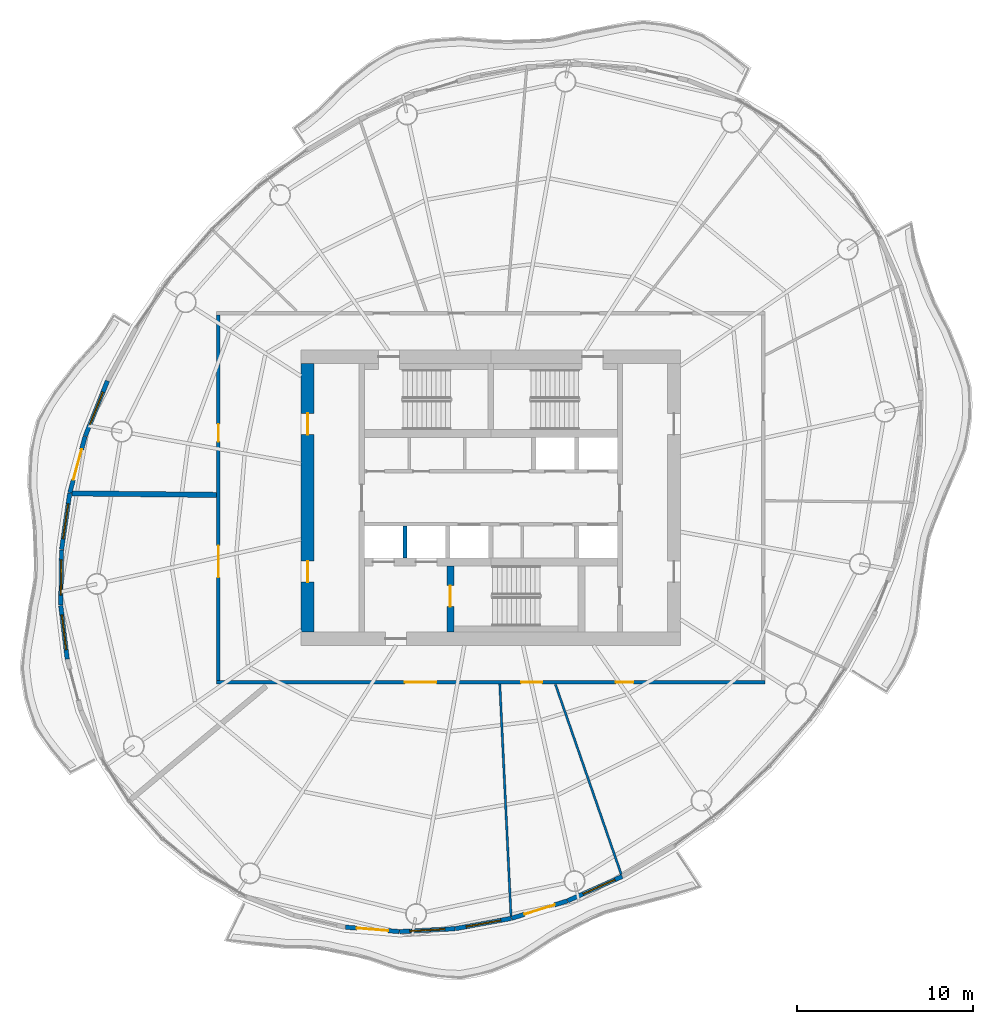
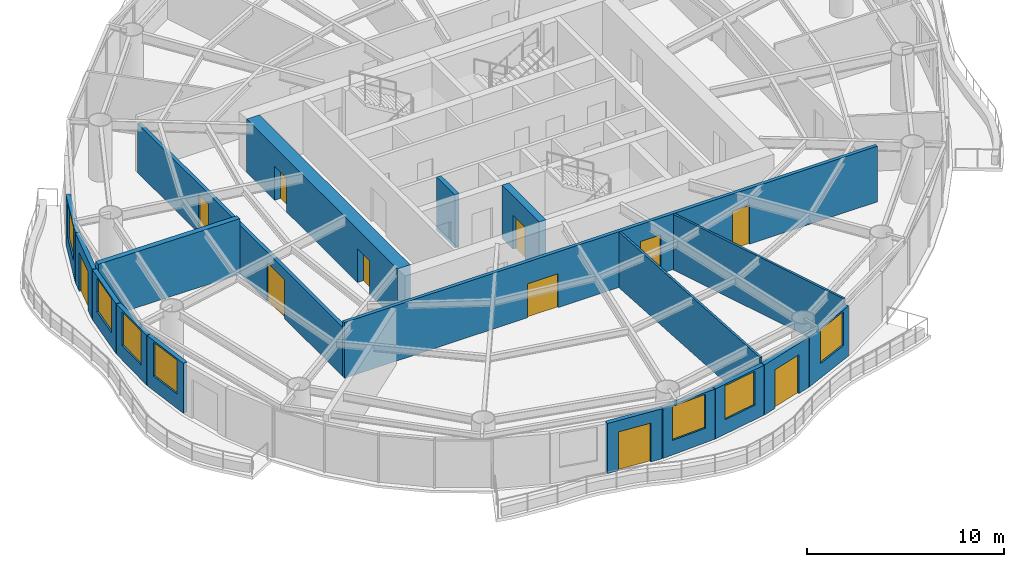
# One storey, part 8 of 14: 18 walls, 11 doors, 7 windows, 18 openings.
"""IFC4 building model written with IfcOpenShell, lengths in metres."""

import ifcopenshell
import ifcopenshell.guid

model = None  # the IFC model being written
_history = None  # IfcOwnerHistory: only IFC2X3 demands one
_inside = {}  # id of a spatial element -> (the spatial element, [elements in it])
_under = {}  # id of a project, library or spatial element -> (it, [spatial elements below it])
_declared = {}  # id of a project -> (the project, [libraries it declares])
_typed = {}  # id of a type object -> (the type object, [elements of that type])
_made_of = {}  # id of a material, layer set ... -> (it, [elements and type objects made of it])


def new_model(schema):
    """Start an empty IFC model of exactly this schema.

    Asked for "IFC4X3", IfcOpenShell would pick the latest addendum, in which some entities
    have other attributes; the version numbers below select the first issue.
    IFC2X3 requires an IfcOwnerHistory on every rooted entity: one is made here for all.
    """
    global model, _history
    if schema == "IFC4X3":
        model = ifcopenshell.file(schema_version=(4, 3, 0, 0))
    else:
        model = ifcopenshell.file(schema=schema)
    _inside.clear()
    _under.clear()
    _declared.clear()
    _typed.clear()
    _made_of.clear()
    _history = None
    if model.schema == "IFC2X3":
        org = make("IfcOrganization", Name="unknown")
        user = make(
            "IfcPersonAndOrganization",
            ThePerson=make("IfcPerson", FamilyName="unknown"),
            TheOrganization=org,
        )
        app = make(
            "IfcApplication",
            ApplicationDeveloper=org,
            Version="unknown",
            ApplicationFullName="unknown",
            ApplicationIdentifier="unknown",
        )
        _history = make(
            "IfcOwnerHistory",
            OwningUser=user,
            OwningApplication=app,
            ChangeAction="ADDED",
            CreationDate=0,
        )
    return model


def make(cls, **values):
    """One entity of the class cls with the attributes given. An attribute that is None is left unset."""
    return model.create_entity(
        cls, **{name: value for name, value in values.items() if value is not None}
    )


def rooted(cls, **values):
    """An entity with a GlobalId (a new one), such as an element, a storey or a relation."""
    return make(cls, GlobalId=ifcopenshell.guid.new(), OwnerHistory=_history, **values)


def si_unit(unit_type, name, prefix=None):
    """IfcSIUnit, for example si_unit("LENGTHUNIT", "METRE", prefix="MILLI")."""
    return make("IfcSIUnit", UnitType=unit_type, Prefix=prefix, Name=name)


def assignment(units):
    """IfcUnitAssignment: the units of a project."""
    return None if units is None else make("IfcUnitAssignment", Units=units)


def point(xyz):
    """IfcCartesianPoint."""
    return None if xyz is None else make("IfcCartesianPoint", Coordinates=xyz)


def direction(xyz):
    """IfcDirection."""
    return None if xyz is None else make("IfcDirection", DirectionRatios=xyz)


def frame(location, z_axis=None, x_axis=None):
    """IfcAxis2Placement3D, a coordinate frame: its origin and axes. An axis left out is left unset."""
    return make(
        "IfcAxis2Placement3D",
        Location=point(location),
        Axis=direction(z_axis),
        RefDirection=direction(x_axis),
    )


def frame_2d(location, x_axis=None):
    """IfcAxis2Placement2D, a coordinate frame in the plane: its origin and x axis."""
    return make(
        "IfcAxis2Placement2D", Location=point(location), RefDirection=direction(x_axis)
    )


def origin():
    """The frame at (0, 0, 0) with its axes left unset."""
    return frame((0.0, 0.0, 0.0))


def place(relative_to, where):
    """IfcLocalPlacement: puts the frame where relative to a parent placement (None: the world)."""
    return make(
        "IfcLocalPlacement", PlacementRelTo=relative_to, RelativePlacement=where
    )


def context(
    kind, dimensions, precision=None, world=None, true_north=None, identifier=None
):
    """IfcGeometricRepresentationContext, for example the 3D "Model" context."""
    return make(
        "IfcGeometricRepresentationContext",
        ContextIdentifier=identifier,
        ContextType=kind,
        CoordinateSpaceDimension=dimensions,
        Precision=precision,
        WorldCoordinateSystem=world,
        TrueNorth=true_north,
    )


def subcontext(parent, identifier, kind, view, scale=None):
    """IfcGeometricRepresentationSubContext, for example "Body" below "Model"."""
    return make(
        "IfcGeometricRepresentationSubContext",
        ContextIdentifier=identifier,
        ContextType=kind,
        ParentContext=parent,
        TargetScale=scale,
        TargetView=view,
    )


def project(units=None, contexts=None):
    """IfcProject with its units and contexts."""
    return rooted(
        "IfcProject",
        Name="project",
        RepresentationContexts=contexts,
        UnitsInContext=assignment(units),
    )


def spatial(cls, under=None, at=None, **own):
    """A site, building, storey or space (cls), placed at a placement, below another one or the project."""
    s = rooted(cls, ObjectPlacement=at, **own)
    if under is not None:
        _under.setdefault(under.id(), (under, []))[1].append(s)
    return s


def profile(cls, at=None, kind="AREA", **sizes):
    """A parametric profile (cls). Its sizes go by their IFC names, for example OverallWidth=200.0."""
    return make(cls, ProfileType=kind, Position=at, **sizes)


def rectangle(**sizes):
    """IfcRectangleProfileDef."""
    return profile("IfcRectangleProfileDef", **sizes)


def extrude(swept, where, along, depth):
    """IfcExtrudedAreaSolid: the profile swept, set in the frame where, extruded along a direction by depth."""
    return make(
        "IfcExtrudedAreaSolid",
        SweptArea=swept,
        Position=where,
        ExtrudedDirection=direction(along),
        Depth=depth,
    )


def shape(context_of_items, identifier, shape_type, items):
    """IfcShapeRepresentation: the items that make up one representation, for example the "Body"."""
    return make(
        "IfcShapeRepresentation",
        ContextOfItems=context_of_items,
        RepresentationIdentifier=identifier,
        RepresentationType=shape_type,
        Items=items,
    )


def material(Name=None, Category=None):
    """IfcMaterial."""
    return make("IfcMaterial", Name=Name, Category=Category)


def layer(
    of_material, thickness, ventilated=None, Name=None, Category=None, Priority=None
):
    """IfcMaterialLayer: one layer of a wall or slab, of a material (None: an air gap)."""
    return make(
        "IfcMaterialLayer",
        Material=of_material,
        LayerThickness=thickness,
        IsVentilated=ventilated,
        Name=Name,
        Category=Category,
        Priority=Priority,
    )


def layer_set(layers, Name=None):
    """IfcMaterialLayerSet."""
    return make("IfcMaterialLayerSet", MaterialLayers=layers, LayerSetName=Name)


def made_of(thing, what):
    """Note that an element or type object is made of a material, layer set ...; save() writes the relation."""
    if what is not None:
        _made_of.setdefault(what.id(), (what, []))[1].append(thing)
    return thing


def type_object(cls, material=None, **own):
    """A type object (cls), such as IfcWallType, which elements share."""
    return made_of(rooted(cls, **own), material)


def element(
    cls,
    number,
    at=None,
    inside=None,
    cuts=None,
    type_object=None,
    material=None,
    context=None,
    identifier="Body",
    shape_type=None,
    held_by="IfcProductDefinitionShape",
    body=None,
    shapes=None,
    **own,
):
    """One element of the class cls, such as IfcWall. Its Tag is "e" and its number.

    at: its placement. inside: the storey or other place that contains it. cuts: it is an
    opening in that element (IfcRelVoidsElement). A single representation is given by context,
    identifier, shape_type and body (its items); several are given by shapes. held_by: the class
    of the entity that holds the representations. save() writes the other relations.
    """
    e = rooted(cls, Tag="e%d" % number, ObjectPlacement=at, **own)
    if body is not None:
        shapes = [shape(context, identifier, shape_type, body)]
    if shapes is not None:
        e.Representation = make(held_by, Representations=shapes)
    if inside is not None:
        _inside.setdefault(inside.id(), (inside, []))[1].append(e)
    if cuts is not None:
        rooted(
            "IfcRelVoidsElement", RelatingBuildingElement=cuts, RelatedOpeningElement=e
        )
    if type_object is not None:
        _typed.setdefault(type_object.id(), (type_object, []))[1].append(e)
    return made_of(e, material)


def fill(opening, filler):
    """IfcRelFillsElement: the door or window that sits in an opening."""
    return rooted(
        "IfcRelFillsElement",
        RelatingOpeningElement=opening,
        RelatedBuildingElement=filler,
    )


def aggregate(whole, parts):
    """IfcRelAggregates: a whole, such as a stair, and the parts it consists of."""
    return rooted("IfcRelAggregates", RelatingObject=whole, RelatedObjects=parts)


def save(model, path):
    """Write the relations noted so far, then the file.

    IfcRelAggregates (storeys below a building ...), IfcRelContainedInSpatialStructure (elements
    in a storey), IfcRelDefinesByType, IfcRelAssociatesMaterial and IfcRelDeclares: one each for
    every whole, place, type object, material and project.
    """
    for whole, parts in _under.values():
        aggregate(whole, parts)
    for where, things in _inside.values():
        rooted(
            "IfcRelContainedInSpatialStructure",
            RelatedElements=things,
            RelatingStructure=where,
        )
    for kind, things in _typed.values():
        rooted("IfcRelDefinesByType", RelatedObjects=things, RelatingType=kind)
    for what, things in _made_of.values():
        rooted("IfcRelAssociatesMaterial", RelatedObjects=things, RelatingMaterial=what)
    for by, libraries in _declared.values():
        rooted("IfcRelDeclares", RelatingContext=by, RelatedDefinitions=libraries)
    model.write(path)


model = new_model("IFC4")

# Units and contexts
model_context = context("Model", 3, precision=1e-05, world=origin(), true_north=direction((0.0, 1.0)))
body_context = subcontext(model_context, "Body", "Model", "MODEL_VIEW")
ifc_project = project(units=[si_unit("LENGTHUNIT", "METRE"), si_unit("AREAUNIT", "SQUARE_METRE"), si_unit("VOLUMEUNIT", "CUBIC_METRE"), si_unit("PLANEANGLEUNIT", "RADIAN"), si_unit("MASSUNIT", "GRAM", prefix="KILO")], contexts=[model_context])

# Site, building, storey
site_placement = place(None, origin())
site = spatial("IfcSite", under=ifc_project, at=site_placement, CompositionType="ELEMENT")
building_placement = place(site_placement, origin())
building = spatial("IfcBuilding", under=site, at=building_placement, Name="Vermilion Reach Broadcast Tower", CompositionType="ELEMENT")
storey_placement = place(building_placement, frame((0.0, 0.0, 217.300048828125)))
storey = spatial("IfcBuildingStorey", under=building, at=storey_placement, Name="L53", CompositionType="ELEMENT", Elevation=217.300048828125)

# Wall, opening, door
ifc_material_1 = material(Name="Concrete C60", Category="concrete")
ifc_layer_1 = layer(ifc_material_1, 0.39990234375)
ifc_layer_set_1 = layer_set([ifc_layer_1], Name="Core inner wall 400 mm Concrete C60")
wall_type_1 = type_object("IfcWallType", Name="Core inner wall 400 mm Concrete C60", PredefinedType="SHEAR", material=ifc_layer_set_1)
wall_1_placement = place(storey_placement, frame((-8.300048828125, -3.8798828125, 0.0), z_axis=(0.0, 0.0, 1.0), x_axis=(0.0, -1.0, 0.0)))
wall_1 = element("IfcWall", 1, at=wall_1_placement, inside=storey, type_object=wall_type_1, Name="L53 core wall wa", PredefinedType="SHEAR", context=body_context, shape_type="SweptSolid", body=[
    extrude(rectangle(XDim=3.77001953125, YDim=0.39990234375, at=frame_2d((1.885009765625, 0.0))), origin(), (0.0, 0.0, 1.0), 3.300048828125),
])
opening_1_placement = place(wall_1_placement, frame((1.110107421875, 0.0, 0.0)))
opening_1 = element("IfcOpeningElement", 2, at=opening_1_placement, cuts=wall_1, Name="Opening D01", PredefinedType="OPENING", context=body_context, shape_type="SweptSolid", body=[
    extrude(rectangle(XDim=1.199951171875, YDim=2.10009765625, at=frame_2d((0.60009765625, 1.050048828125))), frame((0.0, 0.2099609375, 0.0), z_axis=(0.0, -1.0, 0.0), x_axis=(1.0, 0.0, 0.0)), (0.0, 0.0, 1.0), 0.419921875),
])
ifc_material_2 = material(Name="Painted steel fire door", Category="steel")
door_type_1 = type_object("IfcDoorType", Name="Stair door 1200 x 2100", OperationType="DOUBLE_DOOR_SINGLE_SWING", PredefinedType="NOTDEFINED", material=ifc_material_2)
door_1_placement = place(opening_1_placement, origin())
door_1 = element("IfcDoor", 3, at=door_1_placement, inside=storey, type_object=door_type_1, Name="L53 stair door ST3", OperationType="DOUBLE_DOOR_SINGLE_SWING", OverallHeight=2.10009765625, OverallWidth=1.199951171875, PredefinedType="NOTDEFINED", context=body_context, shape_type="SweptSolid", body=[
    extrude(rectangle(XDim=1.199951171875, YDim=2.10009765625, at=frame_2d((0.60009765625, 1.050048828125))), frame((0.0, 0.02490234375, 0.0), z_axis=(0.0, -1.0, 0.0), x_axis=(1.0, 0.0, 0.0)), (0.0, 0.0, 1.0), 0.050048828125),
])
fill(opening_1, door_1)

# Wall, openings, doors
ifc_material_3 = material(Name="Concrete C60", Category="concrete")
ifc_layer_2 = layer(ifc_material_3, 0.75)
ifc_layer_set_2 = layer_set([ifc_layer_2], Name="Core outer wall 750 mm Concrete C60")
wall_type_2 = type_object("IfcWallType", Name="Core outer wall 750 mm Concrete C60", PredefinedType="SHEAR", material=ifc_layer_set_2)
wall_2_placement = place(storey_placement, frame((-16.425048828125, 7.64990234375, 0.0), z_axis=(0.0, 0.0, 1.0), x_axis=(0.0, -1.0, 0.0)))
wall_2 = element("IfcWall", 4, at=wall_2_placement, inside=storey, type_object=wall_type_2, Name="L53 core wall ow", PredefinedType="SHEAR", context=body_context, shape_type="SweptSolid", body=[
    extrude(rectangle(XDim=15.2998046875, YDim=0.75, at=frame_2d((7.64990234375, 0.0))), origin(), (0.0, 0.0, 1.0), 3.300048828125),
])
opening_2_placement = place(wall_2_placement, frame((11.25, 0.0, 0.0)))
opening_2 = element("IfcOpeningElement", 5, at=opening_2_placement, cuts=wall_2, Name="Opening D03", PredefinedType="OPENING", context=body_context, shape_type="SweptSolid", body=[
    extrude(rectangle(XDim=1.199951171875, YDim=2.10009765625, at=frame_2d((0.60009765625, 1.050048828125))), frame((0.0, 0.385009765625, 0.0), z_axis=(0.0, -1.0, 0.0), x_axis=(1.0, 0.0, 0.0)), (0.0, 0.0, 1.0), 0.77001953125),
])
opening_3_placement = place(wall_2_placement, frame((2.85009765625, 0.0, 0.0)))
opening_3 = element("IfcOpeningElement", 6, at=opening_3_placement, cuts=wall_2, Name="Opening D03", PredefinedType="OPENING", context=body_context, shape_type="SweptSolid", body=[
    extrude(rectangle(XDim=1.199951171875, YDim=2.10009765625, at=frame_2d((0.60009765625, 1.050048828125))), frame((0.0, 0.385009765625, 0.0), z_axis=(0.0, -1.0, 0.0), x_axis=(1.0, 0.0, 0.0)), (0.0, 0.0, 1.0), 0.77001953125),
])
ifc_material_4 = material(Name="Painted steel fire door", Category="steel")
door_type_2 = type_object("IfcDoorType", Name="Core lobby door 1200 x 2100", OperationType="DOUBLE_DOOR_SINGLE_SWING", PredefinedType="NOTDEFINED", material=ifc_material_4)
door_2_placement = place(opening_2_placement, origin())
door_2 = element("IfcDoor", 7, at=door_2_placement, inside=storey, type_object=door_type_2, Name="L53 slot door W0", OperationType="DOUBLE_DOOR_SINGLE_SWING", OverallHeight=2.10009765625, OverallWidth=1.199951171875, PredefinedType="NOTDEFINED", context=body_context, shape_type="SweptSolid", body=[
    extrude(rectangle(XDim=1.199951171875, YDim=2.10009765625, at=frame_2d((0.60009765625, 1.050048828125))), frame((0.0, 0.02490234375, 0.0), z_axis=(0.0, -1.0, 0.0), x_axis=(1.0, 0.0, 0.0)), (0.0, 0.0, 1.0), 0.050048828125),
])
fill(opening_2, door_2)
door_3_placement = place(opening_3_placement, origin())
door_3 = element("IfcDoor", 8, at=door_3_placement, inside=storey, type_object=door_type_2, Name="L53 slot door W1", OperationType="DOUBLE_DOOR_SINGLE_SWING", OverallHeight=2.10009765625, OverallWidth=1.199951171875, PredefinedType="NOTDEFINED", context=body_context, shape_type="SweptSolid", body=[
    extrude(rectangle(XDim=1.199951171875, YDim=2.10009765625, at=frame_2d((0.60009765625, 1.050048828125))), frame((0.0, 0.02490234375, 0.0), z_axis=(0.0, -1.0, 0.0), x_axis=(1.0, 0.0, 0.0)), (0.0, 0.0, 1.0), 0.050048828125),
])
fill(opening_3, door_3)

# Wall
ifc_material_5 = material(Name="Concrete C50", Category="concrete")
ifc_layer_3 = layer(ifc_material_5, 0.25)
ifc_layer_set_3 = layer_set([ifc_layer_3], Name="Core shaft wall 250 mm Concrete C50")
wall_type_3 = type_object("IfcWallType", Name="Core shaft wall 250 mm Concrete C50", PredefinedType="SHEAR", material=ifc_layer_set_3)
wall_3_placement = place(storey_placement, frame((-10.88330078125, -1.60009765625, 0.0), z_axis=(0.0, 0.0, 1.0), x_axis=(0.0, -1.0, 0.0)))
element("IfcWall", 9, at=wall_3_placement, inside=storey, type_object=wall_type_3, Name="L53 core wall psS0", PredefinedType="SHEAR", context=body_context, shape_type="SweptSolid", body=[
    extrude(rectangle(XDim=1.829833984375, YDim=0.25, at=frame_2d((0.9150390625, 0.0))), origin(), (0.0, 0.0, 1.0), 3.300048828125),
])

# Wall, openings, doors
ifc_material_6 = material(Name="Fire-rated gypsum board partition")
ifc_layer_4 = layer(ifc_material_6, 0.199951171875)
ifc_layer_set_4 = layer_set([ifc_layer_4], Name="Corridor wall 200 fire-rated")
wall_type_4 = type_object("IfcWallType", Name="Corridor wall 200 fire-rated", PredefinedType="PARTITIONING", material=ifc_layer_set_4)
wall_4_placement = place(storey_placement, frame((9.60009765625, -10.5, 0.0), z_axis=(0.0, 0.0, 1.0), x_axis=(-1.0, 0.0, 0.0)))
wall_4 = element("IfcWall", 10, at=wall_4_placement, inside=storey, type_object=wall_type_4, Name="Corridor wall 53.S", PredefinedType="PARTITIONING", context=body_context, shape_type="SweptSolid", body=[
    extrude(rectangle(XDim=31.2001953125, YDim=0.199951171875, at=frame_2d((15.60009765625, 0.0))), origin(), (0.0, 0.0, 1.0), 3.449951171875),
])
opening_4_placement = place(wall_4_placement, frame((18.6953125, 0.0, 0.0)))
opening_4 = element("IfcOpeningElement", 11, at=opening_4_placement, cuts=wall_4, Name="Opening D21", PredefinedType="OPENING", context=body_context, shape_type="SweptSolid", body=[
    extrude(rectangle(XDim=1.800048828125, YDim=2.10009765625, at=frame_2d((0.89990234375, 1.050048828125))), frame((0.0, 0.10986328125, 0.0), z_axis=(0.0, -1.0, 0.0), x_axis=(1.0, 0.0, 0.0)), (0.0, 0.0, 1.0), 0.219970703125),
])
opening_5_placement = place(wall_4_placement, frame((12.679931640625, 0.0, 0.0)))
opening_5 = element("IfcOpeningElement", 12, at=opening_5_placement, cuts=wall_4, Name="Opening D29", PredefinedType="OPENING", context=body_context, shape_type="SweptSolid", body=[
    extrude(rectangle(XDim=1.199951171875, YDim=2.39990234375, at=frame_2d((0.60009765625, 1.199951171875))), frame((0.0, 0.10986328125, 0.0), z_axis=(0.0, -1.0, 0.0), x_axis=(1.0, 0.0, 0.0)), (0.0, 0.0, 1.0), 0.219970703125),
])
opening_6_placement = place(wall_4_placement, frame((7.483642578125, 0.0, 0.0)))
opening_6 = element("IfcOpeningElement", 13, at=opening_6_placement, cuts=wall_4, Name="Opening D23", PredefinedType="OPENING", context=body_context, shape_type="SweptSolid", body=[
    extrude(rectangle(XDim=1.0, YDim=2.39990234375, at=frame_2d((0.5, 1.199951171875))), frame((0.0, 0.10986328125, 0.0), z_axis=(0.0, -1.0, 0.0), x_axis=(1.0, 0.0, 0.0)), (0.0, 0.0, 1.0), 0.219970703125),
])
ifc_material_7 = material(Name="Timber door leaf", Category="wood")
door_type_3 = type_object("IfcDoorType", Name="Door pair 1800x2100", OperationType="NOTDEFINED", PredefinedType="DOOR", material=ifc_material_7)
door_4_placement = place(opening_4_placement, origin())
door_4 = element("IfcDoor", 14, at=door_4_placement, inside=storey, type_object=door_type_3, Name="Door 53.06", OperationType="DOUBLE_DOOR_SINGLE_SWING", OverallHeight=2.10009765625, OverallWidth=1.800048828125, PredefinedType="DOOR", context=body_context, shape_type="SweptSolid", body=[
    extrude(rectangle(XDim=1.800048828125, YDim=2.10009765625, at=frame_2d((0.89990234375, 1.050048828125))), frame((0.0, 0.02490234375, 0.0), z_axis=(0.0, -1.0, 0.0), x_axis=(1.0, 0.0, 0.0)), (0.0, 0.0, 1.0), 0.050048828125),
])
fill(opening_4, door_4)
ifc_material_8 = material(Name="Veneered timber door leaf", Category="wood")
door_type_4 = type_object("IfcDoorType", Name="Door single 1000x2400", OperationType="NOTDEFINED", PredefinedType="DOOR", material=ifc_material_8)
door_5_placement = place(opening_6_placement, origin())
door_5 = element("IfcDoor", 15, at=door_5_placement, inside=storey, type_object=door_type_4, Name="Door 53.08", OperationType="SINGLE_SWING_RIGHT", OverallHeight=2.39990234375, OverallWidth=1.0, PredefinedType="DOOR", context=body_context, shape_type="SweptSolid", body=[
    extrude(rectangle(XDim=1.0, YDim=2.39990234375, at=frame_2d((0.5, 1.199951171875))), frame((0.0, 0.02490234375, 0.0), z_axis=(0.0, -1.0, 0.0), x_axis=(1.0, 0.0, 0.0)), (0.0, 0.0, 1.0), 0.050048828125),
])
fill(opening_6, door_5)
ifc_material_9 = material(Name="Veneered timber door leaf", Category="wood")
door_type_5 = type_object("IfcDoorType", Name="Door single 1200x2400", OperationType="NOTDEFINED", PredefinedType="DOOR", material=ifc_material_9)
door_6_placement = place(opening_5_placement, origin())
door_6 = element("IfcDoor", 16, at=door_6_placement, inside=storey, type_object=door_type_5, Name="Door 53.07", OperationType="SINGLE_SWING_LEFT", OverallHeight=2.39990234375, OverallWidth=1.199951171875, PredefinedType="DOOR", context=body_context, shape_type="SweptSolid", body=[
    extrude(rectangle(XDim=1.199951171875, YDim=2.39990234375, at=frame_2d((0.60009765625, 1.199951171875))), frame((0.0, 0.02490234375, 0.0), z_axis=(0.0, -1.0, 0.0), x_axis=(1.0, 0.0, 0.0)), (0.0, 0.0, 1.0), 0.050048828125),
])
fill(opening_5, door_6)

# Walls
ifc_material_10 = material(Name="Fire-rated plasterboard on steel stud", Category="steel")
ifc_layer_5 = layer(ifc_material_10, 0.125)
ifc_layer_set_5 = layer_set([ifc_layer_5], Name="Partition 125 fire-rated stud")
wall_type_5 = type_object("IfcWallType", Name="Partition 125 fire-rated stud", PredefinedType="PARTITIONING", material=ifc_layer_set_5)
wall_5_placement = place(storey_placement, frame((-4.84912109375, -23.81396484375, 0.0), z_axis=(0.0, 0.0, 1.0), x_axis=(-0.048269364244, 0.998834354873, 0.0)))
element("IfcWall", 17, at=wall_5_placement, inside=storey, type_object=wall_type_5, Name="Partition 53.07", PredefinedType="PARTITIONING", context=body_context, shape_type="SweptSolid", body=[
    extrude(rectangle(XDim=13.226318359375, YDim=0.125, at=frame_2d((6.61328125, 0.0))), origin(), (0.0, 0.0, 1.0), 3.449951171875),
])
wall_6_placement = place(storey_placement, frame((1.427978515625, -21.43408203125, 0.0), z_axis=(0.0, 0.0, 1.0), x_axis=(-0.327449773214, 0.944868586642, 0.0)))
element("IfcWall", 18, at=wall_6_placement, inside=storey, type_object=wall_type_5, Name="Partition 53.08", PredefinedType="PARTITIONING", context=body_context, shape_type="SweptSolid", body=[
    extrude(rectangle(XDim=11.444580078125, YDim=0.125, at=frame_2d((5.72216796875, 0.0))), origin(), (0.0, 0.0, 1.0), 3.449951171875),
])
ifc_material_11 = material(Name="Double-leaf plasterboard on isolated steel stud", Category="steel")
ifc_layer_6 = layer(ifc_material_11, 0.300048828125)
ifc_layer_set_6 = layer_set([ifc_layer_6], Name="Partition 300 acoustic double leaf")
wall_type_6 = type_object("IfcWallType", Name="Partition 300 acoustic double leaf", PredefinedType="PARTITIONING", material=ifc_layer_set_6)
wall_7_placement = place(storey_placement, frame((-29.84033203125, 0.252685546875, 0.0), z_axis=(0.0, 0.0, 1.0), x_axis=(0.999943732866, -0.010608067811, 0.0)))
element("IfcWall", 19, at=wall_7_placement, inside=storey, type_object=wall_type_6, Name="Partition 53.05", PredefinedType="PARTITIONING", context=body_context, shape_type="SweptSolid", body=[
    extrude(rectangle(XDim=8.2392578125, YDim=0.300048828125, at=frame_2d((4.11962890625, 0.0))), origin(), (0.0, 0.0, 1.0), 3.449951171875),
])

# Wall, opening, window
ifc_material_12 = material(Name="Terracotta rainscreen cladding", Category="masonry")
ifc_layer_7 = layer(ifc_material_12, 0.25)
ifc_layer_set_7 = layer_set([ifc_layer_7], Name="Terracotta rainscreen wall 250")
wall_type_7 = type_object("IfcWallType", Name="Terracotta rainscreen wall 250", PredefinedType="SOLIDWALL", material=ifc_layer_set_7)
wall_8_placement = place(storey_placement, frame((-27.816162109375, 6.65771484375, 0.0), z_axis=(0.0, 0.0, 1.0), x_axis=(-0.37322779977, -0.92773973154, 0.0)))
wall_8 = element("IfcWall", 20, at=wall_8_placement, inside=storey, type_object=wall_type_7, Name="External wall L53 15", PredefinedType="SOLIDWALL", context=body_context, shape_type="SweptSolid", body=[
    extrude(rectangle(XDim=3.3896484375, YDim=0.25, at=frame_2d((1.69482421875, 0.0))), origin(), (0.0, 0.0, 1.0), 3.099853515625),
])
opening_7_placement = place(wall_8_placement, frame((0.69482421875, 0.0, 0.89990234375)))
opening_7 = element("IfcOpeningElement", 21, at=opening_7_placement, cuts=wall_8, Name="Opening W03", PredefinedType="OPENING", context=body_context, shape_type="SweptSolid", body=[
    extrude(rectangle(XDim=2.0, YDim=2.10009765625, at=frame_2d((1.0, 1.050048828125))), frame((0.0, 0.135009765625, 0.0), z_axis=(0.0, -1.0, 0.0), x_axis=(1.0, 0.0, 0.0)), (0.0, 0.0, 1.0), 0.27001953125),
])
ifc_material_13 = material(Name="Low-e laminated clear glass in aluminium frame", Category="aluminium")
window_type = type_object("IfcWindowType", Name="Punched window 2000 x 2100 sill 900", PartitioningType="SINGLE_PANEL", PredefinedType="WINDOW", material=ifc_material_13)
window_1_placement = place(opening_7_placement, origin())
window_1 = element("IfcWindow", 22, at=window_1_placement, inside=storey, type_object=window_type, Name="Window L53 15", OverallHeight=2.10009765625, OverallWidth=2.0, PartitioningType="SINGLE_PANEL", PredefinedType="WINDOW", context=body_context, shape_type="SweptSolid", body=[
    extrude(rectangle(XDim=2.0, YDim=2.10009765625, at=frame_2d((1.0, 1.050048828125))), frame((0.0, 0.030029296875, 0.0), z_axis=(0.0, -1.0, 0.0), x_axis=(1.0, 0.0, 0.0)), (0.0, 0.0, 1.0), 0.06005859375),
])
fill(opening_7, window_1)

# Wall, opening, door
wall_9_placement = place(storey_placement, frame((-29.088623046875, 3.491455078125, 0.0), z_axis=(0.0, 0.0, 1.0), x_axis=(-0.262494842553, -0.964933395439, 0.0)))
wall_9 = element("IfcWall", 23, at=wall_9_placement, inside=storey, type_object=wall_type_7, Name="External wall L53 16", PredefinedType="SOLIDWALL", context=body_context, shape_type="SweptSolid", body=[
    extrude(rectangle(XDim=3.318603515625, YDim=0.25, at=frame_2d((1.6591796875, 0.0))), origin(), (0.0, 0.0, 1.0), 3.099853515625),
])
opening_8_placement = place(wall_9_placement, frame((0.759033203125, 0.0, 0.0)))
opening_8 = element("IfcOpeningElement", 24, at=opening_8_placement, cuts=wall_9, Name="Opening D70", PredefinedType="OPENING", context=body_context, shape_type="SweptSolid", body=[
    extrude(rectangle(XDim=1.800048828125, YDim=2.39990234375, at=frame_2d((0.89990234375, 1.199951171875))), frame((0.0, 0.135009765625, 0.0), z_axis=(0.0, -1.0, 0.0), x_axis=(1.0, 0.0, 0.0)), (0.0, 0.0, 1.0), 0.27001953125),
])
ifc_material_14 = material(Name="Low-e laminated clear glass in aluminium frame", Category="aluminium")
door_type_6 = type_object("IfcDoorType", Name="Balcony sliding door 1800 x 2400", OperationType="DOUBLE_DOOR_SLIDING", PredefinedType="DOOR", material=ifc_material_14)
door_7_placement = place(opening_8_placement, origin())
door_7 = element("IfcDoor", 25, at=door_7_placement, inside=storey, type_object=door_type_6, Name="Balcony door L53 run 04", OperationType="DOUBLE_DOOR_SLIDING", OverallHeight=2.39990234375, OverallWidth=1.800048828125, PredefinedType="DOOR", context=body_context, shape_type="SweptSolid", body=[
    extrude(rectangle(XDim=1.800048828125, YDim=2.39990234375, at=frame_2d((0.89990234375, 1.199951171875))), frame((0.0, 0.02490234375, 0.0), z_axis=(0.0, -1.0, 0.0), x_axis=(1.0, 0.0, 0.0)), (0.0, 0.0, 1.0), 0.050048828125),
])
fill(opening_8, door_7)

# Wall, opening, window
wall_10_placement = place(storey_placement, frame((-29.96435546875, 0.2666015625, 0.0), z_axis=(0.0, 0.0, 1.0), x_axis=(-0.14297307374, -0.989726578498, 0.0)))
wall_10 = element("IfcWall", 26, at=wall_10_placement, inside=storey, type_object=wall_type_7, Name="External wall L53 17", PredefinedType="SOLIDWALL", context=body_context, shape_type="SweptSolid", body=[
    extrude(rectangle(XDim=3.237548828125, YDim=0.25, at=frame_2d((1.61865234375, 0.0))), origin(), (0.0, 0.0, 1.0), 3.099853515625),
])
opening_9_placement = place(wall_10_placement, frame((0.61865234375, 0.0, 0.89990234375)))
opening_9 = element("IfcOpeningElement", 27, at=opening_9_placement, cuts=wall_10, Name="Opening W03", PredefinedType="OPENING", context=body_context, shape_type="SweptSolid", body=[
    extrude(rectangle(XDim=2.0, YDim=2.10009765625, at=frame_2d((1.0, 1.050048828125))), frame((0.0, 0.135009765625, 0.0), z_axis=(0.0, -1.0, 0.0), x_axis=(1.0, 0.0, 0.0)), (0.0, 0.0, 1.0), 0.27001953125),
])
window_2_placement = place(opening_9_placement, origin())
window_2 = element("IfcWindow", 28, at=window_2_placement, inside=storey, type_object=window_type, Name="Window L53 17", OverallHeight=2.10009765625, OverallWidth=2.0, PartitioningType="SINGLE_PANEL", PredefinedType="WINDOW", context=body_context, shape_type="SweptSolid", body=[
    extrude(rectangle(XDim=2.0, YDim=2.10009765625, at=frame_2d((1.0, 1.050048828125))), frame((0.0, 0.030029296875, 0.0), z_axis=(0.0, -1.0, 0.0), x_axis=(1.0, 0.0, 0.0)), (0.0, 0.0, 1.0), 0.06005859375),
])
fill(opening_9, window_2)

wall_11_placement = place(storey_placement, frame((-30.42919921875, -2.961669921875, 0.0), z_axis=(0.0, 0.0, 1.0), x_axis=(-0.01503123462, -0.999887024611, 0.0)))
wall_11 = element("IfcWall", 29, at=wall_11_placement, inside=storey, type_object=wall_type_7, Name="External wall L53 18", PredefinedType="SOLIDWALL", context=body_context, shape_type="SweptSolid", body=[
    extrude(rectangle(XDim=3.15087890625, YDim=0.25, at=frame_2d((1.575439453125, 0.0))), origin(), (0.0, 0.0, 1.0), 3.099853515625),
])
opening_10_placement = place(wall_11_placement, frame((0.575439453125, 0.0, 0.89990234375)))
opening_10 = element("IfcOpeningElement", 30, at=opening_10_placement, cuts=wall_11, Name="Opening W03", PredefinedType="OPENING", context=body_context, shape_type="SweptSolid", body=[
    extrude(rectangle(XDim=2.0, YDim=2.10009765625, at=frame_2d((1.0, 1.050048828125))), frame((0.0, 0.135009765625, 0.0), z_axis=(0.0, -1.0, 0.0), x_axis=(1.0, 0.0, 0.0)), (0.0, 0.0, 1.0), 0.27001953125),
])
window_3_placement = place(opening_10_placement, origin())
window_3 = element("IfcWindow", 31, at=window_3_placement, inside=storey, type_object=window_type, Name="Window L53 18", OverallHeight=2.10009765625, OverallWidth=2.0, PartitioningType="SINGLE_PANEL", PredefinedType="WINDOW", context=body_context, shape_type="SweptSolid", body=[
    extrude(rectangle(XDim=2.0, YDim=2.10009765625, at=frame_2d((1.0, 1.050048828125))), frame((0.0, 0.030029296875, 0.0), z_axis=(0.0, -1.0, 0.0), x_axis=(1.0, 0.0, 0.0)), (0.0, 0.0, 1.0), 0.06005859375),
])
fill(opening_10, window_3)

wall_12_placement = place(storey_placement, frame((-30.475341796875, -6.13720703125, 0.0), z_axis=(0.0, 0.0, 1.0), x_axis=(0.119946033094, -0.992780413357, 0.0)))
wall_12 = element("IfcWall", 32, at=wall_12_placement, inside=storey, type_object=wall_type_7, Name="External wall L53 19", PredefinedType="SOLIDWALL", context=body_context, shape_type="SweptSolid", body=[
    extrude(rectangle(XDim=3.0654296875, YDim=0.25, at=frame_2d((1.53271484375, 0.0))), origin(), (0.0, 0.0, 1.0), 3.099853515625),
])
opening_11_placement = place(wall_12_placement, frame((0.53271484375, 0.0, 0.89990234375)))
opening_11 = element("IfcOpeningElement", 33, at=opening_11_placement, cuts=wall_12, Name="Opening W03", PredefinedType="OPENING", context=body_context, shape_type="SweptSolid", body=[
    extrude(rectangle(XDim=2.0, YDim=2.10009765625, at=frame_2d((1.0, 1.050048828125))), frame((0.0, 0.135009765625, 0.0), z_axis=(0.0, -1.0, 0.0), x_axis=(1.0, 0.0, 0.0)), (0.0, 0.0, 1.0), 0.27001953125),
])
window_4_placement = place(opening_11_placement, origin())
window_4 = element("IfcWindow", 34, at=window_4_placement, inside=storey, type_object=window_type, Name="Window L53 19", OverallHeight=2.10009765625, OverallWidth=2.0, PartitioningType="SINGLE_PANEL", PredefinedType="WINDOW", context=body_context, shape_type="SweptSolid", body=[
    extrude(rectangle(XDim=2.0, YDim=2.10009765625, at=frame_2d((1.0, 1.050048828125))), frame((0.0, 0.030029296875, 0.0), z_axis=(0.0, -1.0, 0.0), x_axis=(1.0, 0.0, 0.0)), (0.0, 0.0, 1.0), 0.06005859375),
])
fill(opening_11, window_4)

# Wall, opening, door
wall_13_placement = place(storey_placement, frame((-14.26513671875, -24.436767578125, 0.0), z_axis=(0.0, 0.0, 1.0), x_axis=(0.996603192192, -0.082353368555, 0.0)))
wall_13 = element("IfcWall", 35, at=wall_13_placement, inside=storey, type_object=wall_type_7, Name="External wall L53 28", PredefinedType="SOLIDWALL", context=body_context, shape_type="SweptSolid", body=[
    extrude(rectangle(XDim=3.0654296875, YDim=0.25, at=frame_2d((1.53271484375, 0.0))), origin(), (0.0, 0.0, 1.0), 3.099853515625),
])
opening_12_placement = place(wall_13_placement, frame((0.633056640625, 0.0, 0.0)))
opening_12 = element("IfcOpeningElement", 36, at=opening_12_placement, cuts=wall_13, Name="Opening D70", PredefinedType="OPENING", context=body_context, shape_type="SweptSolid", body=[
    extrude(rectangle(XDim=1.800048828125, YDim=2.39990234375, at=frame_2d((0.89990234375, 1.199951171875))), frame((0.0, 0.135009765625, 0.0), z_axis=(0.0, -1.0, 0.0), x_axis=(1.0, 0.0, 0.0)), (0.0, 0.0, 1.0), 0.27001953125),
])
door_8_placement = place(opening_12_placement, origin())
door_8 = element("IfcDoor", 37, at=door_8_placement, inside=storey, type_object=door_type_6, Name="Balcony door L53 run 07", OperationType="DOUBLE_DOOR_SLIDING", OverallHeight=2.39990234375, OverallWidth=1.800048828125, PredefinedType="DOOR", context=body_context, shape_type="SweptSolid", body=[
    extrude(rectangle(XDim=1.800048828125, YDim=2.39990234375, at=frame_2d((0.89990234375, 1.199951171875))), frame((0.0, 0.02490234375, 0.0), z_axis=(0.0, -1.0, 0.0), x_axis=(1.0, 0.0, 0.0)), (0.0, 0.0, 1.0), 0.050048828125),
])
fill(opening_12, door_8)

# Wall, opening, window
wall_14_placement = place(storey_placement, frame((-11.185546875, -24.689453125, 0.0), z_axis=(0.0, 0.0, 1.0), x_axis=(0.998611186538, 0.052684894627, 0.0)))
wall_14 = element("IfcWall", 38, at=wall_14_placement, inside=storey, type_object=wall_type_7, Name="External wall L53 29", PredefinedType="SOLIDWALL", context=body_context, shape_type="SweptSolid", body=[
    extrude(rectangle(XDim=3.151123046875, YDim=0.25, at=frame_2d((1.57568359375, 0.0))), origin(), (0.0, 0.0, 1.0), 3.099853515625),
])
opening_13_placement = place(wall_14_placement, frame((0.575439453125, 0.0, 0.89990234375)))
opening_13 = element("IfcOpeningElement", 39, at=opening_13_placement, cuts=wall_14, Name="Opening W03", PredefinedType="OPENING", context=body_context, shape_type="SweptSolid", body=[
    extrude(rectangle(XDim=2.0, YDim=2.10009765625, at=frame_2d((1.0, 1.050048828125))), frame((0.0, 0.135009765625, 0.0), z_axis=(0.0, -1.0, 0.0), x_axis=(1.0, 0.0, 0.0)), (0.0, 0.0, 1.0), 0.27001953125),
])
window_5_placement = place(opening_13_placement, origin())
window_5 = element("IfcWindow", 40, at=window_5_placement, inside=storey, type_object=window_type, Name="Window L53 29", OverallHeight=2.10009765625, OverallWidth=2.0, PartitioningType="SINGLE_PANEL", PredefinedType="WINDOW", context=body_context, shape_type="SweptSolid", body=[
    extrude(rectangle(XDim=2.0, YDim=2.10009765625, at=frame_2d((1.0, 1.050048828125))), frame((0.0, 0.030029296875, 0.0), z_axis=(0.0, -1.0, 0.0), x_axis=(1.0, 0.0, 0.0)), (0.0, 0.0, 1.0), 0.06005859375),
])
fill(opening_13, window_5)

wall_15_placement = place(storey_placement, frame((-8.014892578125, -24.5205078125, 0.0), z_axis=(0.0, 0.0, 1.0), x_axis=(0.98363864292, 0.180152768931, 0.0)))
wall_15 = element("IfcWall", 41, at=wall_15_placement, inside=storey, type_object=wall_type_7, Name="External wall L53 30", PredefinedType="SOLIDWALL", context=body_context, shape_type="SweptSolid", body=[
    extrude(rectangle(XDim=3.237548828125, YDim=0.25, at=frame_2d((1.61865234375, 0.0))), origin(), (0.0, 0.0, 1.0), 3.099853515625),
])
opening_14_placement = place(wall_15_placement, frame((0.61865234375, 0.0, 0.89990234375)))
opening_14 = element("IfcOpeningElement", 42, at=opening_14_placement, cuts=wall_15, Name="Opening W03", PredefinedType="OPENING", context=body_context, shape_type="SweptSolid", body=[
    extrude(rectangle(XDim=2.0, YDim=2.10009765625, at=frame_2d((1.0, 1.050048828125))), frame((0.0, 0.135009765625, 0.0), z_axis=(0.0, -1.0, 0.0), x_axis=(1.0, 0.0, 0.0)), (0.0, 0.0, 1.0), 0.27001953125),
])
window_6_placement = place(opening_14_placement, origin())
window_6 = element("IfcWindow", 43, at=window_6_placement, inside=storey, type_object=window_type, Name="Window L53 30", OverallHeight=2.10009765625, OverallWidth=2.0, PartitioningType="SINGLE_PANEL", PredefinedType="WINDOW", context=body_context, shape_type="SweptSolid", body=[
    extrude(rectangle(XDim=2.0, YDim=2.10009765625, at=frame_2d((1.0, 1.050048828125))), frame((0.0, 0.030029296875, 0.0), z_axis=(0.0, -1.0, 0.0), x_axis=(1.0, 0.0, 0.0)), (0.0, 0.0, 1.0), 0.06005859375),
])
fill(opening_14, window_6)

# Wall, opening, door
wall_16_placement = place(storey_placement, frame((-4.807861328125, -23.931884765625, 0.0), z_axis=(0.0, 0.0, 1.0), x_axis=(0.954355541855, 0.298672897551, 0.0)))
wall_16 = element("IfcWall", 44, at=wall_16_placement, inside=storey, type_object=wall_type_7, Name="External wall L53 31", PredefinedType="SOLIDWALL", context=body_context, shape_type="SweptSolid", body=[
    extrude(rectangle(XDim=3.318603515625, YDim=0.25, at=frame_2d((1.6591796875, 0.0))), origin(), (0.0, 0.0, 1.0), 3.099853515625),
])
opening_15_placement = place(wall_16_placement, frame((0.759033203125, 0.0, 0.0)))
opening_15 = element("IfcOpeningElement", 45, at=opening_15_placement, cuts=wall_16, Name="Opening D70", PredefinedType="OPENING", context=body_context, shape_type="SweptSolid", body=[
    extrude(rectangle(XDim=1.800048828125, YDim=2.39990234375, at=frame_2d((0.89990234375, 1.199951171875))), frame((0.0, 0.135009765625, 0.0), z_axis=(0.0, -1.0, 0.0), x_axis=(1.0, 0.0, 0.0)), (0.0, 0.0, 1.0), 0.27001953125),
])
door_9_placement = place(opening_15_placement, origin())
door_9 = element("IfcDoor", 46, at=door_9_placement, inside=storey, type_object=door_type_6, Name="Balcony door L53 run 08", OperationType="DOUBLE_DOOR_SLIDING", OverallHeight=2.39990234375, OverallWidth=1.800048828125, PredefinedType="DOOR", context=body_context, shape_type="SweptSolid", body=[
    extrude(rectangle(XDim=1.800048828125, YDim=2.39990234375, at=frame_2d((0.89990234375, 1.199951171875))), frame((0.0, 0.02490234375, 0.0), z_axis=(0.0, -1.0, 0.0), x_axis=(1.0, 0.0, 0.0)), (0.0, 0.0, 1.0), 0.050048828125),
])
fill(opening_15, door_9)

# Wall, opening, window
wall_17_placement = place(storey_placement, frame((-1.61962890625, -22.9326171875, 0.0), z_axis=(0.0, 0.0, 1.0), x_axis=(0.913013847156, 0.40792856593, 0.0)))
wall_17 = element("IfcWall", 47, at=wall_17_placement, inside=storey, type_object=wall_type_7, Name="External wall L53 32", PredefinedType="SOLIDWALL", context=body_context, shape_type="SweptSolid", body=[
    extrude(rectangle(XDim=3.389892578125, YDim=0.25, at=frame_2d((1.69482421875, 0.0))), origin(), (0.0, 0.0, 1.0), 3.099853515625),
])
opening_16_placement = place(wall_17_placement, frame((0.945068359375, 0.0, 0.89990234375)))
opening_16 = element("IfcOpeningElement", 48, at=opening_16_placement, cuts=wall_17, Name="Opening W03", PredefinedType="OPENING", context=body_context, shape_type="SweptSolid", body=[
    extrude(rectangle(XDim=2.0, YDim=2.10009765625, at=frame_2d((1.0, 1.050048828125))), frame((0.0, 0.135009765625, 0.0), z_axis=(0.0, -1.0, 0.0), x_axis=(1.0, 0.0, 0.0)), (0.0, 0.0, 1.0), 0.27001953125),
])
window_7_placement = place(opening_16_placement, origin())
window_7 = element("IfcWindow", 49, at=window_7_placement, inside=storey, type_object=window_type, Name="Window L53 32", OverallHeight=2.10009765625, OverallWidth=2.0, PartitioningType="SINGLE_PANEL", PredefinedType="WINDOW", context=body_context, shape_type="SweptSolid", body=[
    extrude(rectangle(XDim=2.0, YDim=2.10009765625, at=frame_2d((1.0, 1.050048828125))), frame((0.0, 0.030029296875, 0.0), z_axis=(0.0, -1.0, 0.0), x_axis=(1.0, 0.0, 0.0)), (0.0, 0.0, 1.0), 0.06005859375),
])
fill(opening_16, window_7)

# Wall, openings, doors
ifc_material_15 = material(Name="Fire-rated gypsum board partition")
ifc_layer_8 = layer(ifc_material_15, 0.199951171875)
ifc_layer_set_8 = layer_set([ifc_layer_8], Name="Under girder: Corridor wall 200 fire-rated")
wall_type_8 = type_object("IfcWallType", Name="Under girder: Corridor wall 200 fire-rated", PredefinedType="PARTITIONING", material=ifc_layer_set_8)
wall_18_placement = place(storey_placement, frame((-21.5, -10.39990234375, 0.0), z_axis=(0.0, 0.0, 1.0), x_axis=(0.0, 1.0, 0.0)))
wall_18 = element("IfcWall", 50, at=wall_18_placement, inside=storey, type_object=wall_type_8, Name="Corridor wall 53.W", PredefinedType="PARTITIONING", context=body_context, shape_type="SweptSolid", body=[
    extrude(rectangle(XDim=20.7998046875, YDim=0.199951171875, at=frame_2d((10.39990234375, 0.0))), origin(), (0.0, 0.0, 1.0), 3.050048828125),
])
opening_17_placement = place(wall_18_placement, frame((13.595703125, 0.0, 0.0)))
opening_17 = element("IfcOpeningElement", 51, at=opening_17_placement, cuts=wall_18, Name="Opening D23", PredefinedType="OPENING", context=body_context, shape_type="SweptSolid", body=[
    extrude(rectangle(XDim=1.0, YDim=2.39990234375, at=frame_2d((0.5, 1.199951171875))), frame((0.0, 0.10986328125, 0.0), z_axis=(0.0, -1.0, 0.0), x_axis=(1.0, 0.0, 0.0)), (0.0, 0.0, 1.0), 0.219970703125),
])
opening_18_placement = place(wall_18_placement, frame((5.875732421875, 0.0, 0.0)))
opening_18 = element("IfcOpeningElement", 52, at=opening_18_placement, cuts=wall_18, Name="Opening D27", PredefinedType="OPENING", context=body_context, shape_type="SweptSolid", body=[
    extrude(rectangle(XDim=1.800048828125, YDim=2.39990234375, at=frame_2d((0.89990234375, 1.199951171875))), frame((0.0, 0.10986328125, 0.0), z_axis=(0.0, -1.0, 0.0), x_axis=(1.0, 0.0, 0.0)), (0.0, 0.0, 1.0), 0.219970703125),
])
ifc_material_16 = material(Name="Acoustic timber door leaf", Category="wood")
door_type_7 = type_object("IfcDoorType", Name="Door pair 1800x2400", OperationType="NOTDEFINED", PredefinedType="DOOR", material=ifc_material_16)
door_10_placement = place(opening_18_placement, origin())
door_10 = element("IfcDoor", 53, at=door_10_placement, inside=storey, type_object=door_type_7, Name="Door 53.05", OperationType="DOUBLE_DOOR_SINGLE_SWING", OverallHeight=2.39990234375, OverallWidth=1.800048828125, PredefinedType="DOOR", context=body_context, shape_type="SweptSolid", body=[
    extrude(rectangle(XDim=1.800048828125, YDim=2.39990234375, at=frame_2d((0.89990234375, 1.199951171875))), frame((0.0, 0.02490234375, 0.0), z_axis=(0.0, -1.0, 0.0), x_axis=(1.0, 0.0, 0.0)), (0.0, 0.0, 1.0), 0.050048828125),
])
fill(opening_18, door_10)
door_11_placement = place(opening_17_placement, origin())
door_11 = element("IfcDoor", 54, at=door_11_placement, inside=storey, type_object=door_type_4, Name="Door 53.04", OperationType="SINGLE_SWING_LEFT", OverallHeight=2.39990234375, OverallWidth=1.0, PredefinedType="DOOR", context=body_context, shape_type="SweptSolid", body=[
    extrude(rectangle(XDim=1.0, YDim=2.39990234375, at=frame_2d((0.5, 1.199951171875))), frame((0.0, 0.02490234375, 0.0), z_axis=(0.0, -1.0, 0.0), x_axis=(1.0, 0.0, 0.0)), (0.0, 0.0, 1.0), 0.050048828125),
])
fill(opening_17, door_11)

save(model, "model.ifc")
